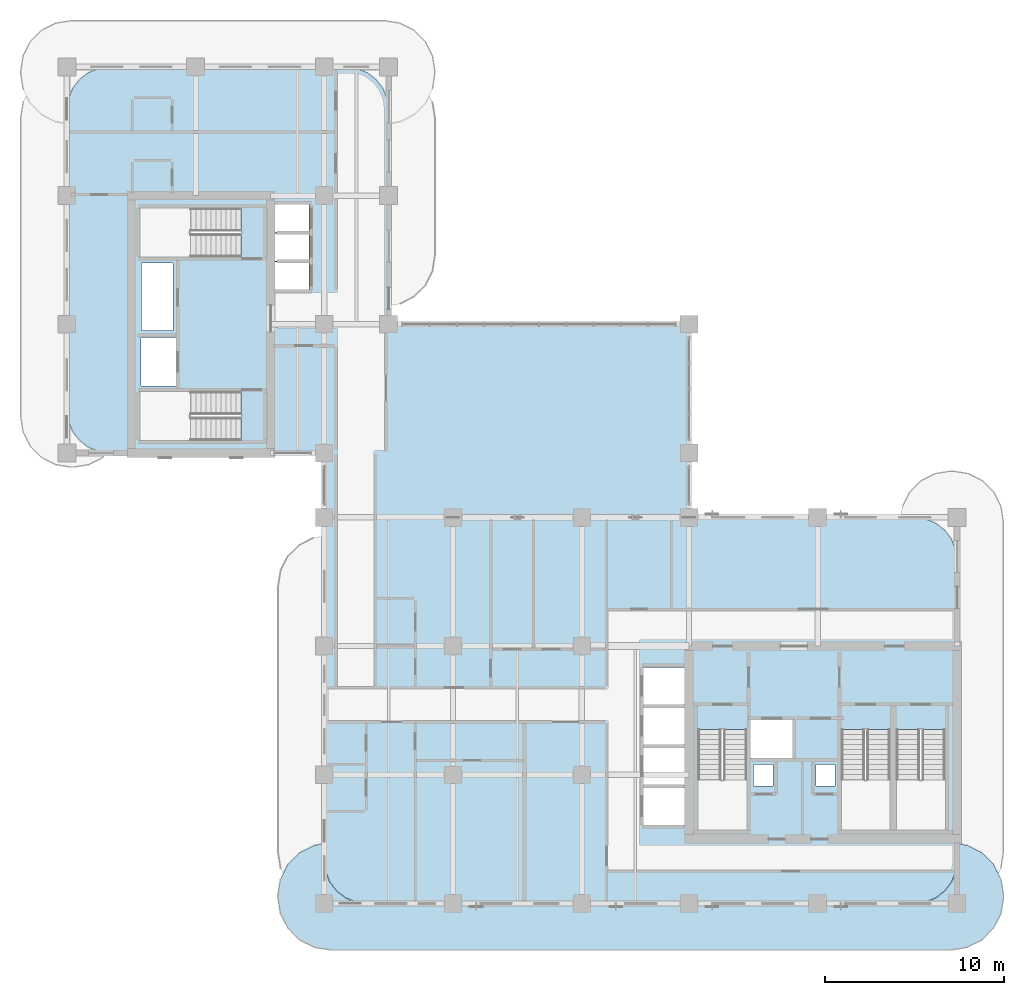
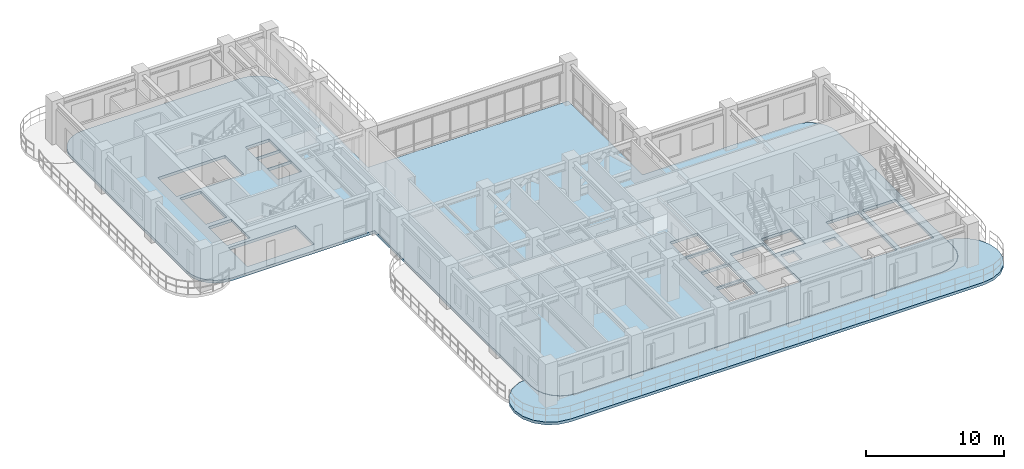
# One storey, part 6 of 17: 2 slabs.
"""IFC4 building model written with IfcOpenShell, lengths in metres."""

from ifc_helpers import new_model, si_unit, derived_unit, direction, frame, origin, place, context, subcontext, project, spatial, polyline, outline, extrude, material, layer, layer_set, type_object, element, save


model = new_model("IFC4")

# Units and contexts
model_context = context("Model", 3, precision=1e-05, world=origin(), true_north=direction((0.0, 1.0)))
body_context = subcontext(model_context, "Body", "Model", "MODEL_VIEW")
ifc_project = project(units=[si_unit("LENGTHUNIT", "METRE"), si_unit("AREAUNIT", "SQUARE_METRE"), si_unit("VOLUMEUNIT", "CUBIC_METRE"), si_unit("PLANEANGLEUNIT", "RADIAN"), si_unit("MASSUNIT", "GRAM", prefix="KILO"), si_unit("THERMODYNAMICTEMPERATUREUNIT", "KELVIN"), si_unit("POWERUNIT", "WATT"), derived_unit("THERMALTRANSMITTANCEUNIT", [(si_unit("POWERUNIT", "WATT"), 1), (si_unit("AREAUNIT", "SQUARE_METRE"), -1), (si_unit("THERMODYNAMICTEMPERATUREUNIT", "KELVIN"), -1)])], contexts=[model_context])

# Site, building, storey
site_placement = place(None, origin())
site = spatial("IfcSite", under=ifc_project, at=site_placement, CompositionType="ELEMENT")
building_placement = place(site_placement, origin())
building = spatial("IfcBuilding", under=site, at=building_placement, Name="Zahravan Archway Hotel and Residences", CompositionType="ELEMENT")
storey_placement = place(building_placement, frame((0.0, 0.0, 192.64990234375)))
storey = spatial("IfcBuildingStorey", under=building, at=storey_placement, Name="L48", CompositionType="ELEMENT", Elevation=192.64990234375)

# Slabs
ifc_material = material(Name="Concrete C45/55", Category="concrete")
ifc_layer_1 = layer(ifc_material, 0.25, Name="Concrete C45/55", Category="concrete")
ifc_layer_set_1 = layer_set([ifc_layer_1], Name="Concrete C45/55")
slab_type_1 = type_object("IfcSlabType", Name="SLB-BALC-250", PredefinedType="FLOOR", material=ifc_layer_set_1)
slab_1_placement = place(storey_placement, frame((0.0, 0.0, -0.25)))
element("IfcSlab", 1, at=slab_1_placement, inside=storey, type_object=slab_type_1, Name="L48 Wing A South Rounded Balcony Band", PredefinedType="FLOOR", context=body_context, shape_type="SweptSolid", body=[
    extrude(outline(polyline([(50.361572265625, 3.255615234375), (51.18408203125, 2.836669921875), (51.836669921875, 2.18408203125), (52.255615234375, 1.361572265625), (52.39990234375, 0.449951171875), (52.39990234375, 0.35009765625), (52.255615234375, -0.5615234375), (51.836669921875, -1.384033203125), (51.18408203125, -2.03662109375), (50.361572265625, -2.45556640625), (49.449951171875, -2.60009765625), (14.75, -2.60009765625), (13.83837890625, -2.45556640625), (13.01611328125, -2.03662109375), (12.36328125, -1.384033203125), (11.9443359375, -0.5615234375), (11.800048828125, 0.35009765625), (11.800048828125, 0.449951171875), (11.9443359375, 1.361572265625), (12.36328125, 2.18408203125), (13.01611328125, 2.836669921875), (13.83837890625, 3.255615234375), (14.3798828125, 3.34130859375), (14.3798828125, 2.39990234375), (14.380126953125, 2.3974609375), (14.4619140625, 1.776123046875), (14.46240234375, 1.7744140625), (14.462646484375, 1.772705078125), (14.46337890625, 1.77099609375), (14.702880859375, 1.1923828125), (14.703857421875, 1.19091796875), (14.70458984375, 1.189208984375), (14.70556640625, 1.187744140625), (15.0869140625, 0.690673828125), (15.088134765625, 0.689453125), (15.08935546875, 0.688232421875), (15.0908203125, 0.68701171875), (15.587890625, 0.3056640625), (15.58935546875, 0.3046875), (15.5908203125, 0.3037109375), (15.59228515625, 0.302978515625), (16.171142578125, 0.063232421875), (16.1728515625, 0.062744140625), (16.174560546875, 0.062255859375), (16.17626953125, 0.06201171875), (16.79736328125, -0.019775390625), (16.800048828125, -0.02001953125), (47.39990234375, -0.02001953125), (47.402587890625, -0.019775390625), (48.023681640625, 0.06201171875), (48.025390625, 0.062255859375), (48.027099609375, 0.062744140625), (48.02880859375, 0.063232421875), (48.607666015625, 0.302978515625), (48.609130859375, 0.3037109375), (48.610595703125, 0.3046875), (48.6123046875, 0.3056640625), (49.109375, 0.68701171875), (49.110595703125, 0.688232421875), (49.11181640625, 0.689453125), (49.113037109375, 0.690673828125), (49.494384765625, 1.187744140625), (49.495361328125, 1.189208984375), (49.49609375, 1.19091796875), (49.4970703125, 1.1923828125), (49.73681640625, 1.77099609375), (49.7373046875, 1.772705078125), (49.73779296875, 1.7744140625), (49.738037109375, 1.776123046875), (49.81982421875, 2.3974609375), (49.820068359375, 2.39990234375), (49.820068359375, 3.34130859375), (50.361572265625, 3.255615234375)])), origin(), (0.0, 0.0, 1.0), 0.25),
])
ifc_layer_2 = layer(ifc_material, 0.25, Name="Concrete C45/55", Category="concrete")
ifc_layer_set_2 = layer_set([ifc_layer_2], Name="Concrete C45/55")
slab_type_2 = type_object("IfcSlabType", Name="SLB-FLR-250", PredefinedType="FLOOR", material=ifc_layer_set_2)
slab_2_placement = place(storey_placement, frame((0.0, 0.0, -0.25)))
element("IfcSlab", 2, at=slab_2_placement, inside=storey, type_object=slab_type_2, Name="L48 Floor Slab LB", PredefinedType="FLOOR", context=body_context, shape_type="SweptSolid", body=[
    extrude(outline(polyline([(34.800048828125, 21.60009765625), (34.800048828125, 32.39990234375), (18.0, 32.39990234375), (18.0, 44.39990234375), (17.918212890625, 45.021240234375), (17.678466796875, 45.60009765625), (17.297119140625, 46.09716796875), (16.800048828125, 46.478515625), (16.22119140625, 46.71826171875), (15.60009765625, 46.800048828125), (2.39990234375, 46.800048828125), (1.77880859375, 46.71826171875), (1.199951171875, 46.478515625), (0.702880859375, 46.09716796875), (0.321533203125, 45.60009765625), (0.081787109375, 45.021240234375), (0.0, 44.39990234375), (0.0, 27.60009765625), (0.081787109375, 26.978759765625), (0.321533203125, 26.39990234375), (0.702880859375, 25.90283203125), (1.199951171875, 25.521484375), (1.77880859375, 25.28173828125), (2.39990234375, 25.199951171875), (14.39990234375, 25.199951171875), (14.39990234375, 19.199951171875), (14.39990234375, 19.10009765625), (14.39990234375, 2.39990234375), (14.481689453125, 1.77880859375), (14.721435546875, 1.199951171875), (15.102783203125, 0.702880859375), (15.60009765625, 0.321533203125), (16.1787109375, 0.081787109375), (16.800048828125, 0.0), (47.39990234375, 0.0), (48.021240234375, 0.081787109375), (48.60009765625, 0.321533203125), (49.09716796875, 0.702880859375), (49.478515625, 1.199951171875), (49.71826171875, 1.77880859375), (49.800048828125, 2.39990234375), (49.800048828125, 19.199951171875), (49.71826171875, 19.8212890625), (49.478515625, 20.39990234375), (49.09716796875, 20.897216796875), (48.60009765625, 21.278564453125), (48.021240234375, 21.518310546875), (47.39990234375, 21.60009765625), (34.800048828125, 21.60009765625)]), holes=[polyline([(35.300048828125, 9.72998046875), (35.300048828125, 4.10009765625), (38.0400390625, 4.10009765625), (38.0400390625, 9.72998046875), (35.300048828125, 9.72998046875)]), polyline([(43.320068359375, 9.72998046875), (43.320068359375, 4.10009765625), (46.06005859375, 4.10009765625), (46.06005859375, 9.72998046875), (43.320068359375, 9.72998046875)]), polyline([(46.39990234375, 9.72998046875), (46.39990234375, 4.10009765625), (49.139892578125, 4.10009765625), (49.139892578125, 9.72998046875), (46.39990234375, 9.72998046875)]), polyline([(9.72998046875, 28.639892578125), (4.10009765625, 28.639892578125), (4.10009765625, 25.89990234375), (9.72998046875, 25.89990234375), (9.72998046875, 28.639892578125)]), polyline([(9.72998046875, 38.89990234375), (4.10009765625, 38.89990234375), (4.10009765625, 36.159912109375), (9.72998046875, 36.159912109375), (9.72998046875, 38.89990234375)]), polyline([(38.179931640625, 8.14990234375), (40.699951171875, 8.14990234375), (40.699951171875, 10.25), (38.179931640625, 10.25), (38.179931640625, 8.14990234375)]), polyline([(4.14990234375, 28.949951171875), (6.10009765625, 28.949951171875), (6.10009765625, 31.64990234375), (4.14990234375, 31.64990234375), (4.14990234375, 28.949951171875)]), polyline([(11.550048828125, 34.35009765625), (13.550048828125, 34.35009765625), (13.550048828125, 35.889892578125), (11.550048828125, 35.889892578125), (11.550048828125, 34.35009765625)]), polyline([(11.550048828125, 35.949951171875), (13.550048828125, 35.949951171875), (13.550048828125, 37.489990234375), (11.550048828125, 37.489990234375), (11.550048828125, 35.949951171875)]), polyline([(11.550048828125, 37.550048828125), (13.550048828125, 37.550048828125), (13.550048828125, 39.090087890625), (11.550048828125, 39.090087890625), (11.550048828125, 37.550048828125)]), polyline([(32.25, 4.39990234375), (34.550048828125, 4.39990234375), (34.550048828125, 6.47998046875), (32.25, 6.47998046875), (32.25, 4.39990234375)]), polyline([(32.25, 6.639892578125), (34.550048828125, 6.639892578125), (34.550048828125, 8.719970703125), (32.25, 8.719970703125), (32.25, 6.639892578125)]), polyline([(32.25, 8.8798828125), (34.550048828125, 8.8798828125), (34.550048828125, 10.9599609375), (32.25, 10.9599609375), (32.25, 8.8798828125)]), polyline([(32.25, 11.1201171875), (34.550048828125, 11.1201171875), (34.550048828125, 13.199951171875), (32.25, 13.199951171875), (32.25, 11.1201171875)]), polyline([(38.419921875, 6.56005859375), (39.5, 6.56005859375), (39.5, 7.780029296875), (38.419921875, 7.780029296875), (38.419921875, 6.56005859375)]), polyline([(41.89990234375, 6.56005859375), (42.9599609375, 6.56005859375), (42.9599609375, 7.780029296875), (41.89990234375, 7.780029296875), (41.89990234375, 6.56005859375)]), polyline([(4.179931640625, 32.050048828125), (5.93994140625, 32.050048828125), (5.93994140625, 35.840087890625), (4.179931640625, 35.840087890625), (4.179931640625, 32.050048828125)])]), origin(), (0.0, 0.0, 1.0), 0.25),
])

save(model, "model.ifc")
